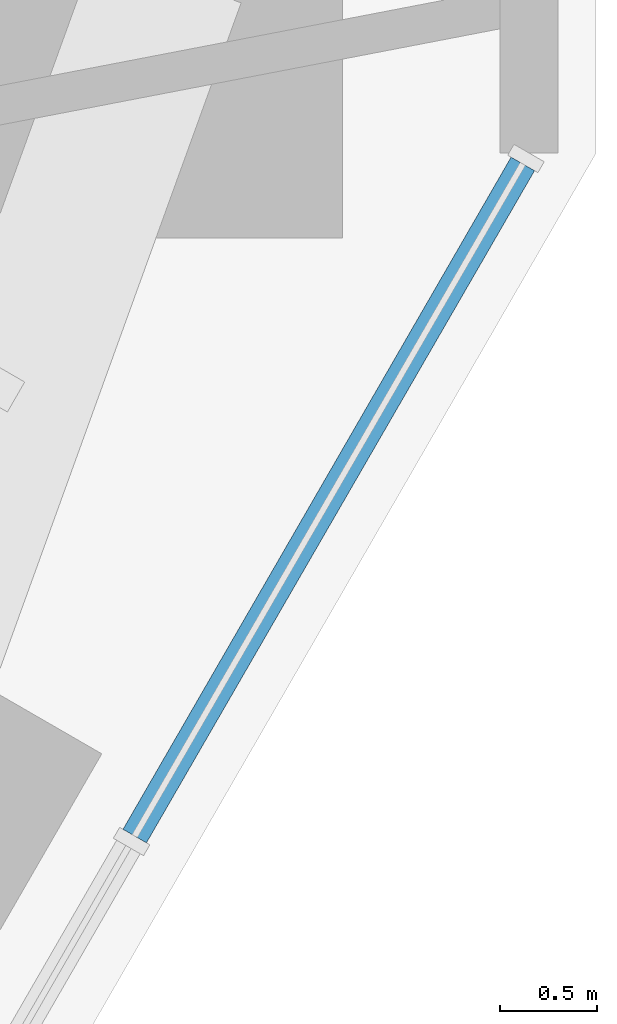
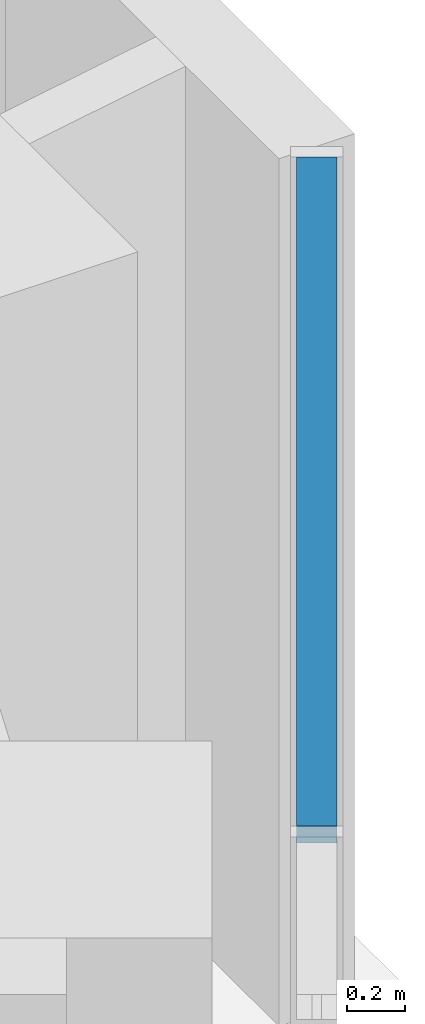
# One storey, part 6 of 16: 1 member, 1 element without a shape of its own.
"""IFC4 building model written with IfcOpenShell, lengths in metres."""

from ifc_helpers import new_model, si_unit, direction, frame, origin, origin_2d, place, context, subcontext, project, spatial, rectangle, extrude, material, material_profile, profile_set, type_object, element, aggregate, save


model = new_model("IFC4")

# Units and contexts
model_context = context("Model", 3, precision=1e-05, world=origin(), true_north=direction((0.0, 1.0)))
body_context = subcontext(model_context, "Body", "Model", "MODEL_VIEW")
ifc_project = project(units=[si_unit("LENGTHUNIT", "METRE"), si_unit("AREAUNIT", "SQUARE_METRE"), si_unit("VOLUMEUNIT", "CUBIC_METRE"), si_unit("PLANEANGLEUNIT", "RADIAN"), si_unit("MASSUNIT", "GRAM", prefix="KILO")], contexts=[model_context])

# Site, building, storey
site_placement = place(None, origin())
site = spatial("IfcSite", under=ifc_project, at=site_placement, CompositionType="ELEMENT")
building_placement = place(site_placement, origin())
building = spatial("IfcBuilding", under=site, at=building_placement, Name="Sandreach Pilgrim Tower", CompositionType="ELEMENT")
storey_placement = place(building_placement, frame((0.0, 0.0, 115.800048828125)))
storey = spatial("IfcBuildingStorey", under=building, at=storey_placement, Name="L28", CompositionType="ELEMENT", Elevation=115.800048828125)

# Curtain wall, member
ifc_material_1 = material(Name="Aluminium framed curtain wall", Category="aluminium")
curtain_wall_type = type_object("IfcCurtainWallType", Name="Hotel tower curtain wall", PredefinedType="NOTDEFINED", material=ifc_material_1)
curtain_wall_placement = place(storey_placement, origin())
curtain_wall = element("IfcCurtainWall", 1, at=curtain_wall_placement, inside=storey, type_object=curtain_wall_type, Name="CW-2 L28 SE", PredefinedType="NOTDEFINED")
ifc_material_2 = material(Name="Aluminium extrusion", Category="aluminium")
ifc_material_profile = material_profile(ifc_material_2, rectangle(XDim=0.139892578125, YDim=0.070068359375, at=origin_2d()), Name="CW-2T 140X70")
ifc_profile_set = profile_set([ifc_material_profile], Name="Aluminium extrusion")
member_type = type_object("IfcMemberType", Name="CW-2 transom", PredefinedType="USERDEFINED", material=ifc_profile_set)
member_placement = place(storey_placement, frame((28.6884765625, 4.7021484375, 3.60498046875), z_axis=(-0.500015851672, -0.866016251624, 0.0), x_axis=(0.866016251624, -0.500015851672, 0.0)))
member = element("IfcMember", 2, at=member_placement, type_object=member_type, Name="CW-2 head transom 1", ObjectType="TRANSOM", PredefinedType="USERDEFINED", context=body_context, shape_type="SweptSolid", body=[
    extrude(rectangle(XDim=0.139892578125, YDim=0.070068359375, at=origin_2d()), origin(), (0.0, 0.0, 1.0), 4.009521484375),
])
aggregate(curtain_wall, [member])

save(model, "model.ifc")
